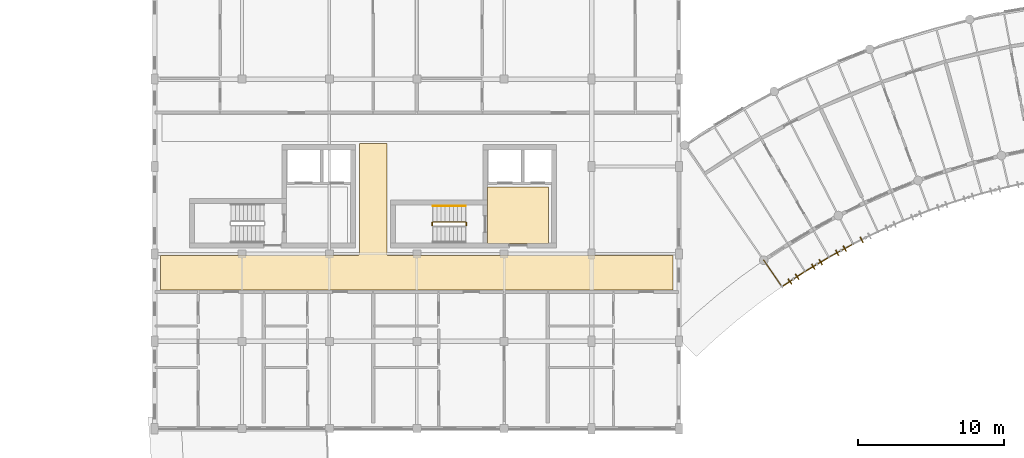
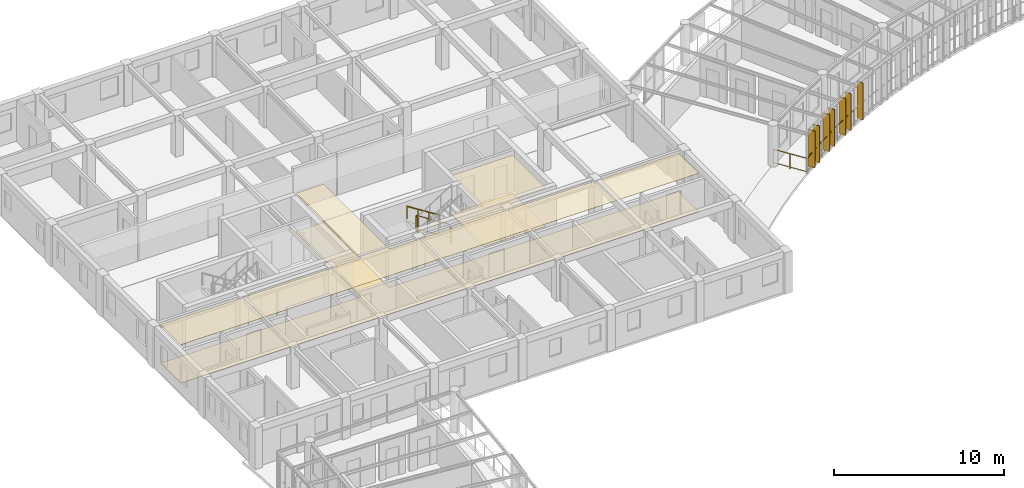
# One storey, part 96 of 101: 8 railings, 7 shading devices, 4 coverings.
"""IFC4 building model written with IfcOpenShell, lengths in metres."""

from ifc_helpers import new_model, si_unit, direction, frame, origin, origin_2d, place, context, subcontext, project, spatial, polyline, rectangle, circle, outline, extrude, material, layer, layer_set, type_object, element, save


model = new_model("IFC4")

# Units and contexts
model_context = context("Model", 3, precision=1e-05, world=origin(), true_north=direction((0.0, 1.0)))
body_context = subcontext(model_context, "Body", "Model", "MODEL_VIEW")
ifc_project = project(units=[si_unit("LENGTHUNIT", "METRE"), si_unit("AREAUNIT", "SQUARE_METRE"), si_unit("VOLUMEUNIT", "CUBIC_METRE"), si_unit("PLANEANGLEUNIT", "RADIAN"), si_unit("MASSUNIT", "GRAM", prefix="KILO"), si_unit("POWERUNIT", "WATT"), si_unit("THERMODYNAMICTEMPERATUREUNIT", "KELVIN")], contexts=[model_context])

# Site, building, storey
site_placement = place(None, origin())
site = spatial("IfcSite", under=ifc_project, at=site_placement, CompositionType="ELEMENT")
building_placement = place(site_placement, origin())
building = spatial("IfcBuilding", under=site, at=building_placement, Name="Ruvembo Vaulted Housing Court", CompositionType="ELEMENT")
storey_placement = place(building_placement, frame((0.0, 0.0, 17.300048828125)))
storey = spatial("IfcBuildingStorey", under=building, at=storey_placement, Name="L05", CompositionType="ELEMENT", Elevation=17.300048828125)

# Coverings
ifc_material_1 = material(Name="Perforated Mineral-Fibre Acoustic Tile", Category="gypsum")
ifc_layer_1 = layer(ifc_material_1, 0.02001953125, Name="Perforated Mineral-Fibre Acoustic Tile")
ifc_layer_set_1 = layer_set([ifc_layer_1], Name="Perforated Mineral-Fibre Acoustic Tile")
covering_type_1 = type_object("IfcCoveringType", Name="COV-CEIL-ACOUST", PredefinedType="CEILING", material=ifc_layer_set_1)
covering_1_placement = place(storey_placement, frame((0.0, 0.0, 2.75)))
element("IfcCovering", 1, at=covering_1_placement, inside=storey, type_object=covering_type_1, Name="Protected Core Lobby B2 Ceiling", PredefinedType="CEILING", context=body_context, shape_type="SweptSolid", body=[
    extrude(outline(polyline([(75.050048828125, 94.60009765625), (70.85009765625, 94.60009765625), (70.85009765625, 90.699951171875), (75.050048828125, 90.699951171875), (75.050048828125, 94.60009765625)])), origin(), (0.0, 0.0, 1.0), 0.02001953125),
])
covering_2_placement = place(storey_placement, frame((0.0, 0.0, 2.75)))
element("IfcCovering", 2, at=covering_2_placement, inside=storey, type_object=covering_type_1, Name="Block B L05 Corridor Ceiling", PredefinedType="CEILING", context=body_context, shape_type="SweptSolid", body=[
    extrude(outline(polyline([(83.590087890625, 87.510009765625), (83.590087890625, 89.889892578125), (64.050048828125, 89.889892578125), (64.039306640625, 89.890380859375), (64.028564453125, 89.89208984375), (64.01806640625, 89.894775390625), (64.0078125, 89.8984375), (63.998046875, 89.903076171875), (63.989013671875, 89.908447265625), (63.980224609375, 89.9150390625), (63.97216796875, 89.922119140625), (63.965087890625, 89.93017578125), (63.95849609375, 89.93896484375), (63.952880859375, 89.947998046875), (63.948486328125, 89.9580078125), (63.944580078125, 89.968017578125), (63.942138671875, 89.978515625), (63.9404296875, 89.9892578125), (63.93994140625, 90.0), (63.93994140625, 97.590087890625), (62.06005859375, 97.590087890625), (62.06005859375, 90.0), (62.0595703125, 89.9892578125), (62.057861328125, 89.978515625), (62.055419921875, 89.968017578125), (62.051513671875, 89.9580078125), (62.047119140625, 89.947998046875), (62.04150390625, 89.93896484375), (62.034912109375, 89.93017578125), (62.02783203125, 89.922119140625), (62.019775390625, 89.9150390625), (62.010986328125, 89.908447265625), (62.001953125, 89.903076171875), (61.9921875, 89.8984375), (61.98193359375, 89.894775390625), (61.971435546875, 89.89208984375), (61.960693359375, 89.890380859375), (61.949951171875, 89.889892578125), (48.409912109375, 89.889892578125), (48.409912109375, 87.510009765625), (83.590087890625, 87.510009765625)])), origin(), (0.0, 0.0, 1.0), 0.02001953125),
])
ifc_material_2 = material(Name="Polished Cement-Aggregate Terrazzo", Category="stone")
ifc_layer_2 = layer(ifc_material_2, 0.02197265625, Name="Polished Cement-Aggregate Terrazzo")
ifc_layer_set_2 = layer_set([ifc_layer_2], Name="Polished Cement-Aggregate Terrazzo")
covering_type_2 = type_object("IfcCoveringType", Name="COV-FLR-CERAMIC", PredefinedType="FLOORING", material=ifc_layer_set_2)
covering_3_placement = place(storey_placement, origin())
element("IfcCovering", 3, at=covering_3_placement, inside=storey, type_object=covering_type_2, Name="Protected Core Lobby B2 Flooring", PredefinedType="FLOORING", context=body_context, shape_type="SweptSolid", body=[
    extrude(outline(polyline([(75.050048828125, 94.60009765625), (70.85009765625, 94.60009765625), (70.85009765625, 90.699951171875), (75.050048828125, 90.699951171875), (75.050048828125, 94.60009765625)])), origin(), (0.0, 0.0, 1.0), 0.02197265625),
])
covering_4_placement = place(storey_placement, origin())
element("IfcCovering", 4, at=covering_4_placement, inside=storey, type_object=covering_type_2, Name="Block B L05 Corridor Flooring", PredefinedType="FLOORING", context=body_context, shape_type="SweptSolid", body=[
    extrude(outline(polyline([(83.590087890625, 87.510009765625), (83.590087890625, 89.889892578125), (64.050048828125, 89.889892578125), (64.039306640625, 89.890380859375), (64.028564453125, 89.89208984375), (64.01806640625, 89.894775390625), (64.0078125, 89.8984375), (63.998046875, 89.903076171875), (63.989013671875, 89.908447265625), (63.980224609375, 89.9150390625), (63.97216796875, 89.922119140625), (63.965087890625, 89.93017578125), (63.95849609375, 89.93896484375), (63.952880859375, 89.947998046875), (63.948486328125, 89.9580078125), (63.944580078125, 89.968017578125), (63.942138671875, 89.978515625), (63.9404296875, 89.9892578125), (63.93994140625, 90.0), (63.93994140625, 97.590087890625), (62.06005859375, 97.590087890625), (62.06005859375, 90.0), (62.0595703125, 89.9892578125), (62.057861328125, 89.978515625), (62.055419921875, 89.968017578125), (62.051513671875, 89.9580078125), (62.047119140625, 89.947998046875), (62.04150390625, 89.93896484375), (62.034912109375, 89.93017578125), (62.02783203125, 89.922119140625), (62.019775390625, 89.9150390625), (62.010986328125, 89.908447265625), (62.001953125, 89.903076171875), (61.9921875, 89.8984375), (61.98193359375, 89.894775390625), (61.971435546875, 89.89208984375), (61.960693359375, 89.890380859375), (61.949951171875, 89.889892578125), (48.409912109375, 89.889892578125), (48.409912109375, 87.510009765625), (83.590087890625, 87.510009765625)])), origin(), (0.0, 0.0, 1.0), 0.02197265625),
])

# Railings
ifc_material_3 = material(Name="Galvanised Painted Steel S275", Category="steel")
ifc_layer_3 = layer(ifc_material_3, 0.06005859375, Name="Galvanised Painted Steel S275")
ifc_layer_set_3 = layer_set([ifc_layer_3], Name="Galvanised Painted Steel S275")
railing_type_1 = type_object("IfcRailingType", Name="RL-GUARD-1100", PredefinedType="GUARDRAIL", material=ifc_layer_set_3)
railing_1_placement = place(storey_placement, frame((89.82177734375, 89.564453125, 0.0)))
element("IfcRailing", 5, at=railing_1_placement, inside=storey, type_object=railing_type_1, Name="L05 Perimeter Guard RL-EXT-L05-0770", PredefinedType="GUARDRAIL", context=body_context, shape_type="SweptSolid", body=[
    extrude(circle(Radius=0.02392578125, at=origin_2d()), frame((0.0, 0.0, 1.076171875), z_axis=(0.566222630619, -0.82425234763, 0.0), x_axis=(0.82425234763, 0.566222630619, 0.0)), (0.0, 0.0, 1.0), 2.199951171875),
    extrude(circle(Radius=0.01806640625, at=origin_2d()), frame((0.0, 0.0, 0.1201171875), z_axis=(0.566222630619, -0.82425234763, 0.0), x_axis=(0.82425234763, 0.566222630619, 0.0)), (0.0, 0.0, 1.0), 2.199951171875),
    extrude(circle(Radius=0.02099609375, at=origin_2d()), origin(), (0.0, 0.0, 1.0), 1.052001953125),
    extrude(circle(Radius=0.02099609375, at=origin_2d()), frame((0.622802734375, -0.90673828125, 0.0)), (0.0, 0.0, 1.0), 1.052001953125),
    extrude(circle(Radius=0.02099609375, at=origin_2d()), frame((1.24560546875, -1.813232421875, 0.0)), (0.0, 0.0, 1.0), 1.052001953125),
])
railing_2_placement = place(storey_placement, frame((91.0673828125, 87.751220703125, 0.0)))
element("IfcRailing", 6, at=railing_2_placement, inside=storey, type_object=railing_type_1, Name="L05 Perimeter Guard RL-EXT-L05-0771", PredefinedType="GUARDRAIL", context=body_context, shape_type="SweptSolid", body=[
    extrude(circle(Radius=0.02392578125, at=origin_2d()), frame((0.0, 0.0, 1.076171875), z_axis=(0.835902452778, 0.548878027834, 0.0), x_axis=(-0.548878027834, 0.835902452778, 0.0)), (0.0, 0.0, 1.0), 1.901123046875),
    extrude(circle(Radius=0.01806640625, at=origin_2d()), frame((0.0, 0.0, 0.1201171875), z_axis=(0.835902452778, 0.548878027834, 0.0), x_axis=(-0.548878027834, 0.835902452778, 0.0)), (0.0, 0.0, 1.0), 1.901123046875),
    extrude(circle(Radius=0.02099609375, at=origin_2d()), origin(), (0.0, 0.0, 1.0), 1.052001953125),
    extrude(circle(Radius=0.02099609375, at=origin_2d()), frame((0.79443359375, 0.521728515625, 0.0)), (0.0, 0.0, 1.0), 1.052001953125),
    extrude(circle(Radius=0.02099609375, at=origin_2d()), frame((1.589111328125, 1.04345703125, 0.0)), (0.0, 0.0, 1.0), 1.052001953125),
])
railing_3_placement = place(storey_placement, frame((92.656494140625, 88.794677734375, 0.0)))
element("IfcRailing", 7, at=railing_3_placement, inside=storey, type_object=railing_type_1, Name="L05 Perimeter Guard RL-EXT-L05-0772", PredefinedType="GUARDRAIL", context=body_context, shape_type="SweptSolid", body=[
    extrude(circle(Radius=0.02392578125, at=origin_2d()), frame((0.0, 0.0, 1.076171875), z_axis=(0.857889282303, 0.513834583607, 0.0), x_axis=(-0.513834583607, 0.857889282303, 0.0)), (0.0, 0.0, 1.0), 1.901123046875),
    extrude(circle(Radius=0.01806640625, at=origin_2d()), frame((0.0, 0.0, 0.1201171875), z_axis=(0.857889282303, 0.513834583607, 0.0), x_axis=(-0.513834583607, 0.857889282303, 0.0)), (0.0, 0.0, 1.0), 1.901123046875),
    extrude(circle(Radius=0.02099609375, at=origin_2d()), origin(), (0.0, 0.0, 1.0), 1.052001953125),
    extrude(circle(Radius=0.02099609375, at=origin_2d()), frame((0.8154296875, 0.48828125, 0.0)), (0.0, 0.0, 1.0), 1.052001953125),
    extrude(circle(Radius=0.02099609375, at=origin_2d()), frame((1.630859375, 0.976806640625, 0.0)), (0.0, 0.0, 1.0), 1.052001953125),
])
railing_4_placement = place(storey_placement, frame((94.287353515625, 89.771484375, 0.0)))
element("IfcRailing", 8, at=railing_4_placement, inside=storey, type_object=railing_type_1, Name="L05 Perimeter Guard RL-EXT-L05-0773", PredefinedType="GUARDRAIL", context=body_context, shape_type="SweptSolid", body=[
    extrude(circle(Radius=0.02392578125, at=origin_2d()), frame((0.0, 0.0, 1.076171875), z_axis=(0.878513214386, 0.477718046706, 0.0), x_axis=(-0.477718046706, 0.878513214386, 0.0)), (0.0, 0.0, 1.0), 1.901123046875),
    extrude(circle(Radius=0.01806640625, at=origin_2d()), frame((0.0, 0.0, 0.1201171875), z_axis=(0.878513214386, 0.477718046706, 0.0), x_axis=(-0.477718046706, 0.878513214386, 0.0)), (0.0, 0.0, 1.0), 1.901123046875),
    extrude(circle(Radius=0.02099609375, at=origin_2d()), origin(), (0.0, 0.0, 1.0), 1.052001953125),
    extrude(circle(Radius=0.02099609375, at=origin_2d()), frame((0.8349609375, 0.4541015625, 0.0)), (0.0, 0.0, 1.0), 1.052001953125),
    extrude(circle(Radius=0.02099609375, at=origin_2d()), frame((1.670166015625, 0.908203125, 0.0)), (0.0, 0.0, 1.0), 1.052001953125),
])
ifc_material_4 = material(Name="Painted Galvanised Steel S275", Category="steel")
ifc_layer_4 = layer(ifc_material_4, 0.06005859375, Name="Painted Galvanised Steel S275")
ifc_layer_set_4 = layer_set([ifc_layer_4], Name="Painted Galvanised Steel S275")
railing_type_2 = type_object("IfcRailingType", Name="RL-STAIR-GR1100", PredefinedType="GUARDRAIL", material=ifc_layer_set_4)
railing_5_placement = place(storey_placement, frame((69.35009765625, 92.199951171875, 0.177734375)))
element("IfcRailing", 9, at=railing_5_placement, inside=storey, type_object=railing_type_2, Name="L05 ST-B2 stair guard 1", PredefinedType="GUARDRAIL", context=body_context, shape_type="SweptSolid", body=[
    extrude(circle(Radius=0.02392578125, at=origin_2d()), frame((0.0, 0.0, 1.076171875), z_axis=(-0.8442293374, 0.0, 0.53598211339), x_axis=(0.0, -1.0, 0.0)), (0.0, 0.0, 1.0), 2.6533203125),
    extrude(circle(Radius=0.01806640625, at=origin_2d()), frame((0.0, 0.0, 0.1201171875), z_axis=(-0.8442293374, 0.0, 0.53598211339), x_axis=(0.0, -1.0, 0.0)), (0.0, 0.0, 1.0), 2.6533203125),
    extrude(circle(Radius=0.02099609375, at=origin_2d()), origin(), (0.0, 0.0, 1.0), 1.052001953125),
    extrude(circle(Radius=0.02099609375, at=origin_2d()), frame((-0.74658203125, 0.0, 0.47412109375)), (0.0, 0.0, 1.0), 1.052001953125),
    extrude(circle(Radius=0.02099609375, at=origin_2d()), frame((-1.493408203125, 0.0, 0.947998046875)), (0.0, 0.0, 1.0), 1.052001953125),
    extrude(circle(Radius=0.02099609375, at=origin_2d()), frame((-2.239990234375, 0.0, 1.422119140625)), (0.0, 0.0, 1.0), 1.052001953125),
])
for number, where, name in (
    (10, (67.06005859375, 92.14990234375, 1.599853515625), "L05 ST-B2 stair guard 2"),
    (11, (69.39990234375, 92.14990234375, 0.0), "L05 ST-B2 stair guard 4"),
):
    element("IfcRailing", number, at=place(storey_placement, frame(where)), inside=storey, type_object=railing_type_2, Name=name, PredefinedType="GUARDRAIL", context=body_context, shape_type="SweptSolid", body=[
        extrude(circle(Radius=0.02392578125, at=origin_2d()), frame((0.0, 0.0, 1.076171875), z_axis=(0.0, -1.0, 0.0), x_axis=(1.0, 0.0, 0.0)), (0.0, 0.0, 1.0), 0.199951171875),
        extrude(circle(Radius=0.01806640625, at=origin_2d()), frame((0.0, 0.0, 0.1201171875), z_axis=(0.0, -1.0, 0.0), x_axis=(1.0, 0.0, 0.0)), (0.0, 0.0, 1.0), 0.199951171875),
        extrude(circle(Radius=0.02099609375, at=origin_2d()), origin(), (0.0, 0.0, 1.0), 1.052001953125),
        extrude(circle(Radius=0.02099609375, at=origin_2d()), frame((0.0, -0.199951171875, 0.0)), (0.0, 0.0, 1.0), 1.052001953125),
    ])
ifc_material_5 = material(Name="Brushed Stainless Steel 304", Category="steel")
ifc_layer_5 = layer(ifc_material_5, 0.050048828125, Name="Brushed Stainless Steel 304")
ifc_layer_set_5 = layer_set([ifc_layer_5], Name="Brushed Stainless Steel 304")
railing_type_3 = type_object("IfcRailingType", Name="RL-STAIR-HR920", PredefinedType="HANDRAIL", material=ifc_layer_set_5)
railing_6_placement = place(storey_placement, frame((69.35009765625, 93.300048828125, 0.359130859375)))
element("IfcRailing", 12, at=railing_6_placement, inside=storey, type_object=railing_type_3, Name="L05 ST-B2 stair handrail 1", PredefinedType="HANDRAIL", context=body_context, shape_type="SweptSolid", body=[
    extrude(circle(Radius=0.02392578125, at=origin_2d()), frame((0.0, 0.0, 0.8759765625), z_axis=(-0.84418770128, 0.0, 0.536047689118), x_axis=(0.0, -1.0, 0.0)), (0.0, 0.0, 1.0), 2.6533203125),
    extrude(circle(Radius=0.02099609375, at=origin_2d()), origin(), (0.0, 0.0, 1.0), 0.851806640625),
    extrude(circle(Radius=0.02099609375, at=origin_2d()), frame((-0.74658203125, 0.0, 0.47412109375)), (0.0, 0.0, 1.0), 0.851806640625),
    extrude(circle(Radius=0.02099609375, at=origin_2d()), frame((-1.493408203125, 0.0, 0.9482421875)), (0.0, 0.0, 1.0), 0.851806640625),
    extrude(circle(Radius=0.02099609375, at=origin_2d()), frame((-2.239990234375, 0.0, 1.42236328125)), (0.0, 0.0, 1.0), 0.851806640625),
])

# Shading devices
ifc_material_6 = material(Name="Kiln-Fired Terracotta Extrusion", Category="masonry")
shading_device_type = type_object("IfcShadingDeviceType", Name="SHD-FIN-420", PredefinedType="USERDEFINED", material=ifc_material_6)
for number, where, z_axis, x_axis, name in (
    (13, (91.611083984375, 88.108154296875, 0.050048828125), (0.0, 0.0, 1.0), (0.548964466299, -0.835845688355, 0.0), "Terracotta Brise-Soleil Fin #703"),
    (14, (92.11279296875, 88.4375, 0.050048828125), (0.0, 0.0, 1.0), (0.548964466299, -0.835845688355, 0.0), "Terracotta Brise-Soleil Fin #704"),
    (15, (93.214599609375, 89.12890625, 0.050048828125), (0.0, 0.0, 1.0), (0.513825768915, -0.857894561819, 0.0), "Terracotta Brise-Soleil Fin #705"),
    (16, (93.729248046875, 89.437255859375, 0.050048828125), (0.0, 0.0, 1.0), (0.513825768915, -0.857894561819, 0.0), "Terracotta Brise-Soleil Fin #706"),
    (17, (94.85888671875, 90.082275390625, 0.050048828125), (0.0, 0.0, 1.0), (0.477787506376, -0.878475440038, 0.0), "Terracotta Brise-Soleil Fin #707"),
    (18, (95.385986328125, 90.368896484375, 0.050048828125), (0.0, 0.0, 1.0), (0.477787506376, -0.878475440038, 0.0), "Terracotta Brise-Soleil Fin #708"),
    (19, (96.541259765625, 90.966552734375, 0.050048828125), (0.0, 0.0, 1.0), (0.440910671447, -0.897550990086, 0.0), "Terracotta Brise-Soleil Fin #709"),
):
    element("IfcShadingDevice", number, at=place(storey_placement, frame(where, z_axis=z_axis, x_axis=x_axis)), inside=storey, type_object=shading_device_type, Name=name, ObjectType="FIN", PredefinedType="USERDEFINED", context=body_context, shape_type="SweptSolid", body=[
        extrude(rectangle(XDim=0.419921875, YDim=0.06494140625, at=origin_2d()), origin(), (0.0, 0.0, 1.0), 2.64501953125),
    ])

save(model, "model.ifc")
